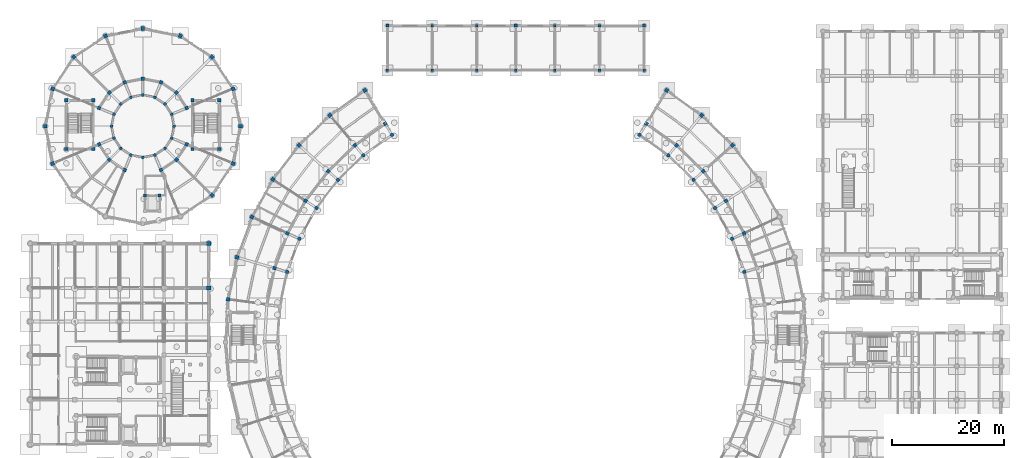
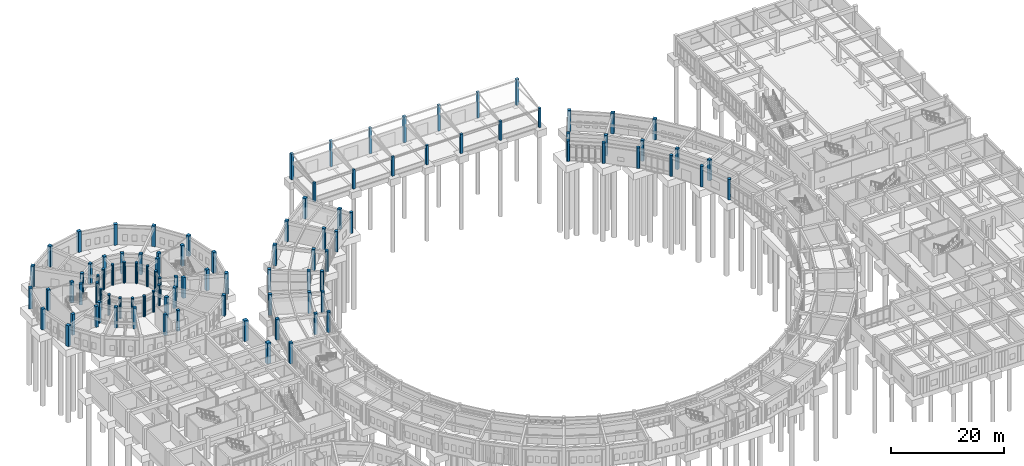
# One storey, part 13 of 153: 100 columns.
"""IFC4 building model written with IfcOpenShell, lengths in metres."""

from ifc_helpers import new_model, si_unit, direction, frame, origin, origin_2d, place, context, subcontext, project, spatial, rectangle, circle, extrude, material, material_profile, profile_set, type_object, element, save


model = new_model("IFC4")

# Units and contexts
model_context = context("Model", 3, precision=1e-05, world=origin(), true_north=direction((0.0, 1.0)))
body_context = subcontext(model_context, "Body", "Model", "MODEL_VIEW")
ifc_project = project(units=[si_unit("LENGTHUNIT", "METRE"), si_unit("AREAUNIT", "SQUARE_METRE"), si_unit("VOLUMEUNIT", "CUBIC_METRE"), si_unit("PLANEANGLEUNIT", "RADIAN"), si_unit("MASSUNIT", "GRAM", prefix="KILO")], contexts=[model_context])

# Site, building, storey
site_placement = place(None, origin())
site = spatial("IfcSite", under=ifc_project, at=site_placement, CompositionType="ELEMENT")
building_placement = place(site_placement, origin())
building = spatial("IfcBuilding", under=site, at=building_placement, Name="Celadon Cloister-Ring School", CompositionType="ELEMENT")
storey_placement = place(building_placement, origin())
storey = spatial("IfcBuildingStorey", under=building, at=storey_placement, Name="L00", CompositionType="ELEMENT", Elevation=0.0)

# Columns
ifc_material_1 = material(Name="Concrete C40/50", Category="concrete")
ifc_material_profile_1 = material_profile(ifc_material_1, rectangle(XDim=0.449951171875, YDim=0.449951171875, at=origin_2d()), Name="RC450X450")
ifc_profile_set_1 = profile_set([ifc_material_profile_1], Name="Concrete C40/50")
column_type_1 = type_object("IfcColumnType", Name="CP-01", PredefinedType="PILASTER", material=ifc_profile_set_1)
column_1_placement = place(storey_placement, frame((102.0, 107.0, 0.0), z_axis=(0.0, 0.0, 1.0), x_axis=(1.0, 0.0, 0.0)))
element("IfcColumn", 1, at=column_1_placement, inside=storey, type_object=column_type_1, Name="Column 1379", PredefinedType="PILASTER", context=body_context, shape_type="SweptSolid", body=[
    extrude(rectangle(XDim=0.449951171875, YDim=0.449951171875, at=origin_2d()), origin(), (0.0, 0.0, 1.0), 4.179931640625),
])
column_2_placement = place(storey_placement, frame((102.0, 115.0, 0.0), z_axis=(0.0, 0.0, 1.0), x_axis=(1.0, 0.0, 0.0)))
element("IfcColumn", 2, at=column_2_placement, inside=storey, type_object=column_type_1, Name="Column 1380", PredefinedType="PILASTER", context=body_context, shape_type="SweptSolid", body=[
    extrude(rectangle(XDim=0.449951171875, YDim=0.449951171875, at=origin_2d()), origin(), (0.0, 0.0, 1.0), 5.580078125),
])
for number, where, z_axis, x_axis, name in (
    (3, (110.0, 107.0, 0.0), (0.0, 0.0, 1.0), (1.0, 0.0, 0.0), "Column 1381"),
    (4, (64.0, 107.0, 0.0), (0.0, 0.0, 1.0), (1.0, 0.0, 0.0), "Column 1383"),
    (5, (72.0, 107.0, 0.0), (0.0, 0.0, 1.0), (1.0, 0.0, 0.0), "Column 1385"),
):
    element("IfcColumn", number, at=place(storey_placement, frame(where, z_axis=z_axis, x_axis=x_axis)), inside=storey, type_object=column_type_1, Name=name, PredefinedType="PILASTER", context=body_context, shape_type="SweptSolid", body=[
        extrude(rectangle(XDim=0.449951171875, YDim=0.449951171875, at=origin_2d()), origin(), (0.0, 0.0, 1.0), 4.179931640625),
    ])
column_3_placement = place(storey_placement, frame((72.0, 115.0, 0.0), z_axis=(0.0, 0.0, 1.0), x_axis=(1.0, 0.0, 0.0)))
element("IfcColumn", 6, at=column_3_placement, inside=storey, type_object=column_type_1, Name="Column 1386", PredefinedType="PILASTER", context=body_context, shape_type="SweptSolid", body=[
    extrude(rectangle(XDim=0.449951171875, YDim=0.449951171875, at=origin_2d()), origin(), (0.0, 0.0, 1.0), 5.580078125),
])
column_4_placement = place(storey_placement, frame((80.0, 107.0, 0.0), z_axis=(0.0, 0.0, 1.0), x_axis=(1.0, 0.0, 0.0)))
element("IfcColumn", 7, at=column_4_placement, inside=storey, type_object=column_type_1, Name="Column 1387", PredefinedType="PILASTER", context=body_context, shape_type="SweptSolid", body=[
    extrude(rectangle(XDim=0.449951171875, YDim=0.449951171875, at=origin_2d()), origin(), (0.0, 0.0, 1.0), 4.179931640625),
])
column_5_placement = place(storey_placement, frame((80.0, 115.0, 0.0), z_axis=(0.0, 0.0, 1.0), x_axis=(1.0, 0.0, 0.0)))
element("IfcColumn", 8, at=column_5_placement, inside=storey, type_object=column_type_1, Name="Column 1388", PredefinedType="PILASTER", context=body_context, shape_type="SweptSolid", body=[
    extrude(rectangle(XDim=0.449951171875, YDim=0.449951171875, at=origin_2d()), origin(), (0.0, 0.0, 1.0), 5.580078125),
])
for number, where, z_axis, x_axis, name in (
    (9, (87.0, 107.0, 0.0), (0.0, 0.0, 1.0), (1.0, 0.0, 0.0), "Column 1389"),
    (10, (94.0, 107.0, 0.0), (0.0, 0.0, 1.0), (1.0, 0.0, 0.0), "Column 1391"),
):
    element("IfcColumn", number, at=place(storey_placement, frame(where, z_axis=z_axis, x_axis=x_axis)), inside=storey, type_object=column_type_1, Name=name, PredefinedType="PILASTER", context=body_context, shape_type="SweptSolid", body=[
        extrude(rectangle(XDim=0.449951171875, YDim=0.449951171875, at=origin_2d()), origin(), (0.0, 0.0, 1.0), 4.179931640625),
    ])
column_6_placement = place(storey_placement, frame((94.0, 115.0, 0.0), z_axis=(0.0, 0.0, 1.0), x_axis=(1.0, 0.0, 0.0)))
element("IfcColumn", 11, at=column_6_placement, inside=storey, type_object=column_type_1, Name="Column 1392", PredefinedType="PILASTER", context=body_context, shape_type="SweptSolid", body=[
    extrude(rectangle(XDim=0.449951171875, YDim=0.449951171875, at=origin_2d()), origin(), (0.0, 0.0, 1.0), 5.580078125),
])
ifc_material_2 = material(Name="Concrete C40/50", Category="concrete")
ifc_material_profile_2 = material_profile(ifc_material_2, rectangle(XDim=0.550048828125, YDim=0.550048828125, at=origin_2d()), Name="RC550X550")
ifc_profile_set_2 = profile_set([ifc_material_profile_2], Name="Concrete C40/50")
column_type_2 = type_object("IfcColumnType", Name="CP-02", PredefinedType="PILASTER", material=ifc_profile_set_2)
for number, where, z_axis, x_axis, name in (
    (12, (110.0, 115.0, 0.0), (0.0, 0.0, 1.0), (1.0, 0.0, 0.0), "Column 1382"),
    (13, (64.0, 115.0, 0.0), (0.0, 0.0, 1.0), (1.0, 0.0, 0.0), "Column 1384"),
    (14, (87.0, 115.0, 0.0), (0.0, 0.0, 1.0), (1.0, 0.0, 0.0), "Column 1390"),
):
    element("IfcColumn", number, at=place(storey_placement, frame(where, z_axis=z_axis, x_axis=x_axis)), inside=storey, type_object=column_type_2, Name=name, PredefinedType="PILASTER", context=body_context, shape_type="SweptSolid", body=[
        extrude(rectangle(XDim=0.550048828125, YDim=0.550048828125, at=origin_2d()), origin(), (0.0, 0.0, 1.0), 5.580078125),
    ])
ifc_material_3 = material(Name="Concrete C40/50", Category="concrete")
ifc_material_profile_3 = material_profile(ifc_material_3, rectangle(XDim=0.75, YDim=0.75, at=origin_2d()), Name="RC750X750")
ifc_profile_set_3 = profile_set([ifc_material_profile_3], Name="Concrete C40/50")
column_type_3 = type_object("IfcColumnType", Name="CT-01", PredefinedType="COLUMN", material=ifc_profile_set_3)
for number, where, z_axis, x_axis, name in (
    (15, (32.0, 68.0, 0.0), (0.0, 0.0, 1.0), (1.0, 0.0, 0.0), "Column 1168"),
    (16, (32.0, 76.0, 0.0), (0.0, 0.0, 1.0), (1.0, 0.0, 0.0), "Column 1173"),
):
    element("IfcColumn", number, at=place(storey_placement, frame(where, z_axis=z_axis, x_axis=x_axis)), inside=storey, type_object=column_type_3, Name=name, PredefinedType="COLUMN", context=body_context, shape_type="SweptSolid", body=[
        extrude(rectangle(XDim=0.75, YDim=0.75, at=origin_2d()), origin(), (0.0, 0.0, 1.0), 4.5),
    ])
ifc_material_4 = material(Name="Concrete C40/50", Category="concrete")
ifc_material_profile_4 = material_profile(ifc_material_4, rectangle(XDim=0.60009765625, YDim=0.60009765625, at=origin_2d()), Name="RC600X600")
ifc_profile_set_4 = profile_set([ifc_material_profile_4], Name="Concrete C40/50")
column_type_4 = type_object("IfcColumnType", Name="CT-04", PredefinedType="COLUMN", material=ifc_profile_set_4)
for number, where, z_axis, x_axis, name in (
    (17, (6.5, 92.89990234375, 0.0), (0.0, 0.0, 1.0), (1.0, 0.0, 0.0), "Column 0063"),
    (18, (11.300048828125, 92.89990234375, 0.0), (0.0, 0.0, 1.0), (1.0, 0.0, 0.0), "Column 0067"),
    (19, (11.300048828125, 101.6201171875, 0.0), (0.0, 0.0, 1.0), (1.0, 0.0, 0.0), "Column 0071"),
    (20, (6.5, 101.6201171875, 0.0), (0.0, 0.0, 1.0), (1.0, 0.0, 0.0), "Column 0075"),
    (21, (29.10009765625, 92.89990234375, 0.0), (0.0, 0.0, 1.0), (1.0, 0.0, 0.0), "Column 0079"),
    (22, (33.89990234375, 92.89990234375, 0.0), (0.0, 0.0, 1.0), (1.0, 0.0, 0.0), "Column 0083"),
    (23, (33.89990234375, 101.6201171875, 0.0), (0.0, 0.0, 1.0), (1.0, 0.0, 0.0), "Column 0087"),
    (24, (29.10009765625, 101.6201171875, 0.0), (0.0, 0.0, 1.0), (1.0, 0.0, 0.0), "Column 0091"),
    (25, (63.60791015625, 97.44189453125, 0.0), (0.0, 0.0, 1.0), (-0.519817342621, 0.854277431699, 0.0), "Column 0396"),
    (26, (58.18505859375, 93.56494140625, 0.0), (0.0, 0.0, 1.0), (-0.640324219757, 0.76810474129, 0.0), "Column 0400"),
    (27, (53.39501953125, 88.927978515625, 0.0), (0.0, 0.0, 1.0), (-0.746777491428, 0.66507396453, 0.0), "Column 0404"),
    (28, (49.342041015625, 83.635009765625, 0.0), (0.0, 0.0, 1.0), (-0.836840759551, 0.547446383817, 0.0), "Column 0408"),
    (29, (46.115966796875, 77.801025390625, 0.0), (0.0, 0.0, 1.0), (-0.908537347938, 0.417803646947, 0.0), "Column 0412"),
    (30, (43.787109375, 71.554931640625, 0.0), (0.0, 0.0, 1.0), (-0.960293685677, 0.278991106039, 0.0), "Column 0416"),
    (31, (127.884033203125, 77.801025390625, 0.0), (0.0, 0.0, 1.0), (0.908537347938, 0.417803646947, 0.0), "Column 0520"),
    (32, (124.657958984375, 83.635009765625, 0.0), (0.0, 0.0, 1.0), (0.836840759551, 0.547446383817, 0.0), "Column 0524"),
    (33, (120.60498046875, 88.927978515625, 0.0), (0.0, 0.0, 1.0), (0.746777491428, 0.66507396453, 0.0), "Column 0528"),
    (34, (115.81494140625, 93.56494140625, 0.0), (0.0, 0.0, 1.0), (0.640324219757, 0.76810474129, 0.0), "Column 0532"),
    (35, (110.39208984375, 97.44189453125, 0.0), (0.0, 0.0, 1.0), (0.519817342621, 0.854277431699, 0.0), "Column 0536"),
    (36, (28.052978515625, 100.2529296875, 0.0), (0.0, 0.0, 1.0), (0.923879532511, 0.382683432365, 0.0), "Column 0791"),
    (37, (26.2099609375, 103.010009765625, 0.0), (0.0, 0.0, 1.0), (0.707106781187, 0.707106781187, 0.0), "Column 0795"),
    (38, (23.452880859375, 104.85302734375, 0.0), (0.0, 0.0, 1.0), (0.382683432365, 0.923879532511, 0.0), "Column 0799"),
    (39, (20.199951171875, 105.5, 0.0), (0.0, 0.0, 1.0), (0.0, 1.0, 0.0), "Column 0803"),
    (40, (16.947021484375, 104.85302734375, 0.0), (0.0, 0.0, 1.0), (-0.382683432365, 0.923879532511, 0.0), "Column 0807"),
    (41, (14.18994140625, 103.010009765625, 0.0), (0.0, 0.0, 1.0), (-0.707106781187, 0.707106781187, 0.0), "Column 0811"),
    (42, (12.346923828125, 100.2529296875, 0.0), (0.0, 0.0, 1.0), (-0.923879532511, 0.382683432365, 0.0), "Column 0815"),
    (43, (12.346923828125, 93.7470703125, 0.0), (0.0, 0.0, 1.0), (-0.923879532511, -0.382683432365, 0.0), "Column 0819"),
    (44, (14.18994140625, 90.989990234375, 0.0), (0.0, 0.0, 1.0), (-0.707106781187, -0.707106781187, 0.0), "Column 0823"),
    (45, (16.947021484375, 89.14697265625, 0.0), (0.0, 0.0, 1.0), (-0.382683432365, -0.923879532511, 0.0), "Column 0827"),
    (46, (23.452880859375, 89.14697265625, 0.0), (0.0, 0.0, 1.0), (0.382683432365, -0.923879532511, 0.0), "Column 0831"),
    (47, (26.2099609375, 90.989990234375, 0.0), (0.0, 0.0, 1.0), (0.707106781187, -0.707106781187, 0.0), "Column 0835"),
    (48, (28.052978515625, 93.7470703125, 0.0), (0.0, 0.0, 1.0), (0.923879532511, -0.382683432365, 0.0), "Column 0839"),
):
    element("IfcColumn", number, at=place(storey_placement, frame(where, z_axis=z_axis, x_axis=x_axis)), inside=storey, type_object=column_type_4, Name=name, PredefinedType="COLUMN", context=body_context, shape_type="SweptSolid", body=[
        extrude(rectangle(XDim=0.60009765625, YDim=0.60009765625, at=origin_2d()), origin(), (0.0, 0.0, 1.0), 4.5),
    ])
ifc_material_5 = material(Name="Concrete C40/50", Category="concrete")
ifc_material_profile_5 = material_profile(ifc_material_5, rectangle(XDim=0.550048828125, YDim=0.550048828125, at=origin_2d()), Name="RC550X550")
ifc_profile_set_5 = profile_set([ifc_material_profile_5], Name="Concrete C40/50")
column_type_5 = type_object("IfcColumnType", Name="CT-05", PredefinedType="COLUMN", material=ifc_profile_set_5)
for number, where, z_axis, x_axis, name in (
    (49, (23.199951171875, 84.60009765625, 0.0), (0.0, 0.0, 1.0), (1.0, 0.0, 0.0), "Column 0284"),
    (50, (20.60009765625, 84.60009765625, 0.0), (0.0, 0.0, 1.0), (1.0, 0.0, 0.0), "Column 0288"),
):
    element("IfcColumn", number, at=place(storey_placement, frame(where, z_axis=z_axis, x_axis=x_axis)), inside=storey, type_object=column_type_5, Name=name, PredefinedType="COLUMN", context=body_context, shape_type="SweptSolid", body=[
        extrude(rectangle(XDim=0.550048828125, YDim=0.550048828125, at=origin_2d()), origin(), (0.0, 0.0, 1.0), 4.5),
    ])
ifc_material_6 = material(Name="Concrete C40/50", Category="concrete")
ifc_material_profile_6 = material_profile(ifc_material_6, circle(Radius=0.27490234375, at=origin_2d()), Name="CIRC550")
ifc_profile_set_6 = profile_set([ifc_material_profile_6], Name="Concrete C40/50")
column_type_6 = type_object("IfcColumnType", Name="CT-07", PredefinedType="COLUMN", material=ifc_profile_set_6)
for number, where, z_axis, x_axis, name in (
    (51, (25.800048828125, 97.0, 0.0), (0.0, 0.0, 1.0), (1.0, 0.0, 0.0), "Column 0727"),
    (52, (25.3740234375, 99.14306640625, 0.0), (0.0, 0.0, 1.0), (1.0, 0.0, 0.0), "Column 0731"),
    (53, (24.159912109375, 100.9599609375, 0.0), (0.0, 0.0, 1.0), (1.0, 0.0, 0.0), "Column 0735"),
    (54, (22.343017578125, 102.174072265625, 0.0), (0.0, 0.0, 1.0), (1.0, 0.0, 0.0), "Column 0739"),
    (55, (20.199951171875, 102.60009765625, 0.0), (0.0, 0.0, 1.0), (1.0, 0.0, 0.0), "Column 0743"),
    (56, (18.056884765625, 102.174072265625, 0.0), (0.0, 0.0, 1.0), (1.0, 0.0, 0.0), "Column 0747"),
    (57, (16.239990234375, 100.9599609375, 0.0), (0.0, 0.0, 1.0), (1.0, 0.0, 0.0), "Column 0751"),
    (58, (15.02587890625, 99.14306640625, 0.0), (0.0, 0.0, 1.0), (1.0, 0.0, 0.0), "Column 0755"),
    (59, (14.60009765625, 97.0, 0.0), (0.0, 0.0, 1.0), (1.0, 0.0, 0.0), "Column 0759"),
    (60, (15.02587890625, 94.85693359375, 0.0), (0.0, 0.0, 1.0), (1.0, 0.0, 0.0), "Column 0763"),
    (61, (16.239990234375, 93.0400390625, 0.0), (0.0, 0.0, 1.0), (1.0, 0.0, 0.0), "Column 0767"),
    (62, (18.056884765625, 91.825927734375, 0.0), (0.0, 0.0, 1.0), (1.0, 0.0, 0.0), "Column 0771"),
    (63, (20.199951171875, 91.39990234375, 0.0), (0.0, 0.0, 1.0), (1.0, 0.0, 0.0), "Column 0775"),
    (64, (22.343017578125, 91.825927734375, 0.0), (0.0, 0.0, 1.0), (1.0, 0.0, 0.0), "Column 0779"),
    (65, (24.159912109375, 93.0400390625, 0.0), (0.0, 0.0, 1.0), (1.0, 0.0, 0.0), "Column 0783"),
    (66, (25.3740234375, 94.85693359375, 0.0), (0.0, 0.0, 1.0), (1.0, 0.0, 0.0), "Column 0787"),
):
    element("IfcColumn", number, at=place(storey_placement, frame(where, z_axis=z_axis, x_axis=x_axis)), inside=storey, type_object=column_type_6, Name=name, PredefinedType="COLUMN", context=body_context, shape_type="SweptSolid", body=[
        extrude(circle(Radius=0.27490234375, at=origin_2d()), origin(), (0.0, 0.0, 1.0), 4.5),
    ])
ifc_material_7 = material(Name="Concrete C40/50", Category="concrete")
ifc_material_profile_7 = material_profile(ifc_material_7, rectangle(XDim=0.64990234375, YDim=0.64990234375, at=origin_2d()), Name="RC650X650")
ifc_profile_set_7 = profile_set([ifc_material_profile_7], Name="Concrete C40/50")
column_type_7 = type_object("IfcColumnType", Name="CT-22", PredefinedType="COLUMN", material=ifc_profile_set_7)
for number, where, z_axis, x_axis, name in (
    (67, (59.968994140625, 103.422119140625, 0.0), (0.0, 0.0, 1.0), (-0.519817342621, 0.854277431699, 0.0), "Column 0540"),
    (68, (53.702880859375, 98.94091796875, 0.0), (0.0, 0.0, 1.0), (-0.640324219757, 0.76810474129, 0.0), "Column 0544"),
    (69, (48.16796875, 93.583984375, 0.0), (0.0, 0.0, 1.0), (-0.746777491428, 0.66507396453, 0.0), "Column 0548"),
    (70, (43.48388671875, 87.467041015625, 0.0), (0.0, 0.0, 1.0), (-0.836840759551, 0.547446383817, 0.0), "Column 0552"),
    (71, (39.756103515625, 80.72607421875, 0.0), (0.0, 0.0, 1.0), (-0.908537347938, 0.417803646947, 0.0), "Column 0556"),
    (72, (37.06494140625, 73.508056640625, 0.0), (0.0, 0.0, 1.0), (-0.960293685677, 0.278991106039, 0.0), "Column 0560"),
    (73, (35.468994140625, 65.970947265625, 0.0), (0.0, 0.0, 1.0), (-0.9909738433, 0.13405536877, 0.0), "Column 0564"),
    (74, (125.83203125, 93.583984375, 0.0), (0.0, 0.0, 1.0), (0.746777491428, 0.66507396453, 0.0), "Column 0664"),
    (75, (120.297119140625, 98.94091796875, 0.0), (0.0, 0.0, 1.0), (0.640324219757, 0.76810474129, 0.0), "Column 0668"),
    (76, (114.031005859375, 103.422119140625, 0.0), (0.0, 0.0, 1.0), (0.519817342621, 0.854277431699, 0.0), "Column 0672"),
    (77, (37.699951171875, 97.0, 0.0), (0.0, 0.0, 1.0), (1.0, 0.0, 0.0), "Column 0843"),
    (78, (36.367919921875, 103.697021484375, 0.0), (0.0, 0.0, 1.0), (0.923879532511, 0.382683432365, 0.0), "Column 0847"),
    (79, (32.573974609375, 109.3740234375, 0.0), (0.0, 0.0, 1.0), (0.707106781187, 0.707106781187, 0.0), "Column 0851"),
    (80, (26.89697265625, 113.16796875, 0.0), (0.0, 0.0, 1.0), (0.382683432365, 0.923879532511, 0.0), "Column 0855"),
    (81, (20.199951171875, 114.5, 0.0), (0.0, 0.0, 1.0), (0.0, 1.0, 0.0), "Column 0859"),
    (82, (13.5029296875, 113.16796875, 0.0), (0.0, 0.0, 1.0), (-0.382683432365, 0.923879532511, 0.0), "Column 0863"),
    (83, (7.825927734375, 109.3740234375, 0.0), (0.0, 0.0, 1.0), (-0.707106781187, 0.707106781187, 0.0), "Column 0867"),
    (84, (4.031982421875, 103.697021484375, 0.0), (0.0, 0.0, 1.0), (-0.923879532511, 0.382683432365, 0.0), "Column 0871"),
    (85, (2.699951171875, 97.0, 0.0), (0.0, 0.0, 1.0), (-1.0, 0.0, 0.0), "Column 0875"),
    (86, (4.031982421875, 90.302978515625, 0.0), (0.0, 0.0, 1.0), (-0.923879532511, -0.382683432365, 0.0), "Column 0879"),
    (87, (32.573974609375, 84.6259765625, 0.0), (0.0, 0.0, 1.0), (0.707106781187, -0.707106781187, 0.0), "Column 0899"),
    (88, (36.367919921875, 90.302978515625, 0.0), (0.0, 0.0, 1.0), (0.923879532511, -0.382683432365, 0.0), "Column 0903"),
):
    element("IfcColumn", number, at=place(storey_placement, frame(where, z_axis=z_axis, x_axis=x_axis)), inside=storey, type_object=column_type_7, Name=name, PredefinedType="COLUMN", context=body_context, shape_type="SweptSolid", body=[
        extrude(rectangle(XDim=0.64990234375, YDim=0.64990234375, at=origin_2d()), origin(), (0.0, 0.0, 1.0), 4.5),
    ])
ifc_material_8 = material(Name="Concrete C40/50", Category="concrete")
ifc_material_profile_8 = material_profile(ifc_material_8, circle(Radius=0.324951171875, at=origin_2d()), Name="CIRC650")
ifc_profile_set_8 = profile_set([ifc_material_profile_8], Name="Concrete C40/50")
column_type_8 = type_object("IfcColumnType", Name="CT-25", PredefinedType="COLUMN", material=ifc_profile_set_8)
for number, where, z_axis, x_axis, name in (
    (89, (64.830078125, 95.43505859375, 0.0), (0.0, 0.0, 1.0), (1.0, 0.0, 0.0), "Column 0324"),
    (90, (59.68994140625, 91.760009765625, 0.0), (0.0, 0.0, 1.0), (1.0, 0.0, 0.0), "Column 0326"),
    (91, (55.14990234375, 87.364990234375, 0.0), (0.0, 0.0, 1.0), (1.0, 0.0, 0.0), "Column 0328"),
    (92, (51.30908203125, 82.34912109375, 0.0), (0.0, 0.0, 1.0), (1.0, 0.0, 0.0), "Column 0330"),
    (93, (48.2509765625, 76.819091796875, 0.0), (0.0, 0.0, 1.0), (1.0, 0.0, 0.0), "Column 0332"),
    (94, (46.04296875, 70.89892578125, 0.0), (0.0, 0.0, 1.0), (1.0, 0.0, 0.0), "Column 0334"),
    (95, (127.95703125, 70.89892578125, 0.0), (0.0, 0.0, 1.0), (1.0, 0.0, 0.0), "Column 0384"),
    (96, (125.7490234375, 76.819091796875, 0.0), (0.0, 0.0, 1.0), (1.0, 0.0, 0.0), "Column 0386"),
    (97, (122.69091796875, 82.34912109375, 0.0), (0.0, 0.0, 1.0), (1.0, 0.0, 0.0), "Column 0388"),
    (98, (118.85009765625, 87.364990234375, 0.0), (0.0, 0.0, 1.0), (1.0, 0.0, 0.0), "Column 0390"),
    (99, (114.31005859375, 91.760009765625, 0.0), (0.0, 0.0, 1.0), (1.0, 0.0, 0.0), "Column 0392"),
    (100, (109.169921875, 95.43505859375, 0.0), (0.0, 0.0, 1.0), (1.0, 0.0, 0.0), "Column 0394"),
):
    element("IfcColumn", number, at=place(storey_placement, frame(where, z_axis=z_axis, x_axis=x_axis)), inside=storey, type_object=column_type_8, Name=name, PredefinedType="COLUMN", context=body_context, shape_type="SweptSolid", body=[
        extrude(circle(Radius=0.324951171875, at=origin_2d()), origin(), (0.0, 0.0, 1.0), 4.5),
    ])

save(model, "model.ifc")
